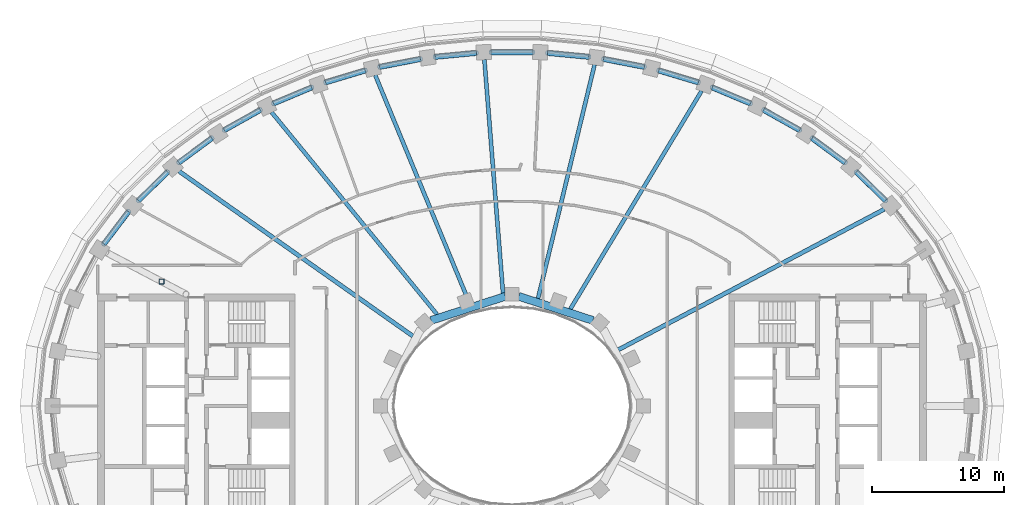
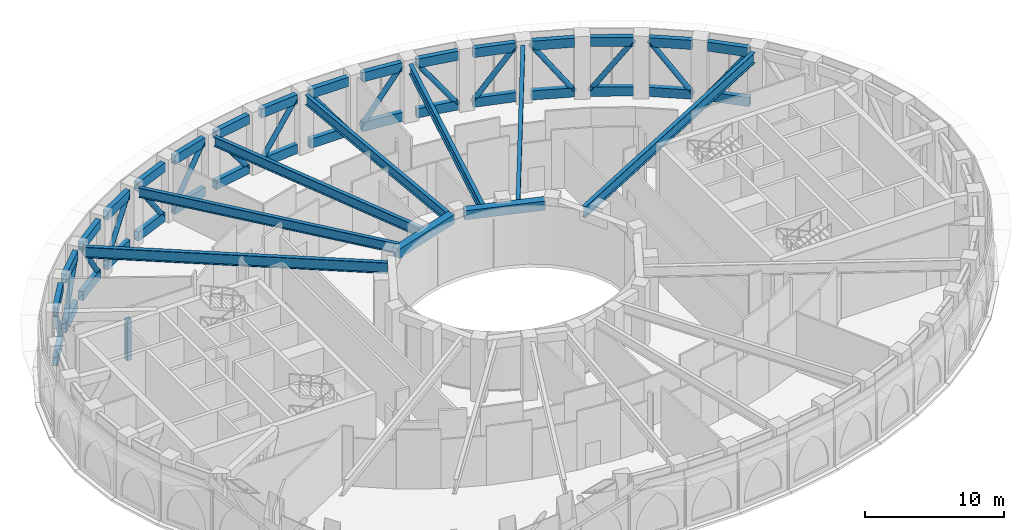
# One storey, part 4 of 25: 41 beams, 17 members.
"""IFC4 building model written with IfcOpenShell, lengths in metres."""

from ifc_helpers import new_model, si_unit, direction, frame, origin, origin_2d, place, context, subcontext, project, spatial, rectangle, hollow_rectangle, hollow_circle, i_section, extrude, material, material_profile, profile_set, type_object, element, save


model = new_model("IFC4")

# Units and contexts
model_context = context("Model", 3, precision=1e-05, world=origin(), true_north=direction((0.0, 1.0)))
body_context = subcontext(model_context, "Body", "Model", "MODEL_VIEW")
ifc_project = project(units=[si_unit("LENGTHUNIT", "METRE"), si_unit("AREAUNIT", "SQUARE_METRE"), si_unit("VOLUMEUNIT", "CUBIC_METRE"), si_unit("PLANEANGLEUNIT", "RADIAN"), si_unit("MASSUNIT", "GRAM", prefix="KILO")], contexts=[model_context])

# Site, building, storey
site_placement = place(None, origin())
site = spatial("IfcSite", under=ifc_project, at=site_placement, CompositionType="ELEMENT")
building_placement = place(site_placement, origin())
building = spatial("IfcBuilding", under=site, at=building_placement, Name="Noorbagh Ring Tower", CompositionType="ELEMENT")
storey_placement = place(building_placement, frame((0.0, 0.0, 198.0)))
storey = spatial("IfcBuildingStorey", under=building, at=storey_placement, Name="L46", CompositionType="ELEMENT", Elevation=198.0)

# Beams
ifc_material_1 = material(Name="Steel S460", Category="steel")
ifc_material_profile_1 = material_profile(ifc_material_1, hollow_rectangle(XDim=0.39990234375, YDim=0.800048828125, WallThickness=0.031982421875, at=origin_2d()), Name="BOX800x400x32")
ifc_profile_set_1 = profile_set([ifc_material_profile_1], Name="Steel S460")
beam_type_1 = type_object("IfcBeamType", Name="STR-BELT-TRUSS-CHORD-BOX800x400x32-S460", PredefinedType="BEAM", material=ifc_profile_set_1)
for number, where, z_axis, x_axis, name in (
    (1, (28.419677734375, 15.618408203125, 0.39990234375), (-0.717243627205, 0.696822487606, 0.0), (-0.696822487606, -0.717243627205, 0.0), "Belt truss chord"),
    (2, (28.419677734375, 15.618408203125, 4.75), (-0.717243627205, 0.696822487606, 0.0), (-0.696822487606, -0.717243627205, 0.0), "Belt truss chord"),
):
    element("IfcBeam", number, at=place(storey_placement, frame(where, z_axis=z_axis, x_axis=x_axis)), inside=storey, type_object=beam_type_1, Name=name, PredefinedType="BEAM", context=body_context, shape_type="SweptSolid", body=[
        extrude(hollow_rectangle(XDim=0.39990234375, YDim=0.800048828125, WallThickness=0.031982421875, at=origin_2d()), origin(), (0.0, 0.0, 1.0), 3.120361328125),
    ])
for number, where, z_axis, x_axis, name in (
    (3, (25.334716796875, 18.51025390625, 0.39990234375), (-0.805145840143, 0.593076871999, 0.0), (-0.593076871999, -0.805145840143, 0.0), "Belt truss chord"),
    (4, (25.334716796875, 18.51025390625, 4.75), (-0.805145840143, 0.593076871999, 0.0), (-0.593076871999, -0.805145840143, 0.0), "Belt truss chord"),
):
    element("IfcBeam", number, at=place(storey_placement, frame(where, z_axis=z_axis, x_axis=x_axis)), inside=storey, type_object=beam_type_1, Name=name, PredefinedType="BEAM", context=body_context, shape_type="SweptSolid", body=[
        extrude(hollow_rectangle(XDim=0.39990234375, YDim=0.800048828125, WallThickness=0.031982421875, at=origin_2d()), origin(), (0.0, 0.0, 1.0), 3.135986328125),
    ])
for number, where, z_axis, x_axis, name in (
    (5, (21.877197265625, 20.97216796875, 0.39990234375), (-0.87203893693, 0.489436505053, 0.0), (-0.489436505053, -0.87203893693, 0.0), "Belt truss chord"),
    (6, (21.877197265625, 20.97216796875, 4.75), (-0.87203893693, 0.489436505053, 0.0), (-0.489436505053, -0.87203893693, 0.0), "Belt truss chord"),
):
    element("IfcBeam", number, at=place(storey_placement, frame(where, z_axis=z_axis, x_axis=x_axis)), inside=storey, type_object=beam_type_1, Name=name, PredefinedType="BEAM", context=body_context, shape_type="SweptSolid", body=[
        extrude(hollow_rectangle(XDim=0.39990234375, YDim=0.800048828125, WallThickness=0.031982421875, at=origin_2d()), origin(), (0.0, 0.0, 1.0), 3.149169921875),
    ])
for number, where, z_axis, x_axis, name in (
    (7, (18.1337890625, 23.0009765625, 0.39990234375), (-0.921825849556, 0.387604312528, 0.0), (-0.387604312528, -0.921825849556, 0.0), "Belt truss chord"),
    (8, (18.1337890625, 23.0009765625, 4.75), (-0.921825849556, 0.387604312528, 0.0), (-0.387604312528, -0.921825849556, 0.0), "Belt truss chord"),
):
    element("IfcBeam", number, at=place(storey_placement, frame(where, z_axis=z_axis, x_axis=x_axis)), inside=storey, type_object=beam_type_1, Name=name, PredefinedType="BEAM", context=body_context, shape_type="SweptSolid", body=[
        extrude(hollow_rectangle(XDim=0.39990234375, YDim=0.800048828125, WallThickness=0.031982421875, at=origin_2d()), origin(), (0.0, 0.0, 1.0), 3.15869140625),
    ])
for number, where, z_axis, x_axis, name in (
    (9, (14.17724609375, 24.60107421875, 0.39990234375), (-0.957586143245, 0.288147146897, 0.0), (-0.288147146897, -0.957586143245, 0.0), "Belt truss chord"),
    (10, (14.17724609375, 24.60107421875, 4.75), (-0.957586143245, 0.288147146897, 0.0), (-0.288147146897, -0.957586143245, 0.0), "Belt truss chord"),
):
    element("IfcBeam", number, at=place(storey_placement, frame(where, z_axis=z_axis, x_axis=x_axis)), inside=storey, type_object=beam_type_1, Name=name, PredefinedType="BEAM", context=body_context, shape_type="SweptSolid", body=[
        extrude(hollow_rectangle(XDim=0.39990234375, YDim=0.800048828125, WallThickness=0.031982421875, at=origin_2d()), origin(), (0.0, 0.0, 1.0), 3.166259765625),
    ])
for number, where, z_axis, x_axis, name in (
    (11, (10.067626953125, 25.77978515625, 0.39990234375), (-0.98163221506, 0.190783108151, 0.0), (-0.190783108151, -0.98163221506, 0.0), "Belt truss chord"),
    (12, (10.067626953125, 25.77978515625, 4.75), (-0.98163221506, 0.190783108151, 0.0), (-0.190783108151, -0.98163221506, 0.0), "Belt truss chord"),
):
    element("IfcBeam", number, at=place(storey_placement, frame(where, z_axis=z_axis, x_axis=x_axis)), inside=storey, type_object=beam_type_1, Name=name, PredefinedType="BEAM", context=body_context, shape_type="SweptSolid", body=[
        extrude(hollow_rectangle(XDim=0.39990234375, YDim=0.800048828125, WallThickness=0.031982421875, at=origin_2d()), origin(), (0.0, 0.0, 1.0), 3.171142578125),
    ])
for number, where, z_axis, x_axis, name in (
    (13, (5.856201171875, 26.543701171875, 0.39990234375), (-0.995478518673, 0.094986940474, 0.0), (-0.094986940474, -0.995478518673, 0.0), "Belt truss chord"),
    (14, (5.856201171875, 26.543701171875, 4.75), (-0.995478518673, 0.094986940474, 0.0), (-0.094986940474, -0.995478518673, 0.0), "Belt truss chord"),
):
    element("IfcBeam", number, at=place(storey_placement, frame(where, z_axis=z_axis, x_axis=x_axis)), inside=storey, type_object=beam_type_1, Name=name, PredefinedType="BEAM", context=body_context, shape_type="SweptSolid", body=[
        extrude(hollow_rectangle(XDim=0.39990234375, YDim=0.800048828125, WallThickness=0.031982421875, at=origin_2d()), origin(), (0.0, 0.0, 1.0), 3.17431640625),
    ])
for number, where, z_axis, x_axis, name in (
    (15, (1.587646484375, 26.89794921875, 0.39990234375), (-1.0, 0.0, 0.0), (0.0, -1.0, 0.0), "Belt truss chord"),
    (16, (1.587646484375, 26.89794921875, 4.75), (-1.0, 0.0, 0.0), (0.0, -1.0, 0.0), "Belt truss chord"),
):
    element("IfcBeam", number, at=place(storey_placement, frame(where, z_axis=z_axis, x_axis=x_axis)), inside=storey, type_object=beam_type_1, Name=name, PredefinedType="BEAM", context=body_context, shape_type="SweptSolid", body=[
        extrude(hollow_rectangle(XDim=0.39990234375, YDim=0.800048828125, WallThickness=0.031982421875, at=origin_2d()), origin(), (0.0, 0.0, 1.0), 3.17529296875),
    ])
for number, where, z_axis, x_axis, name in (
    (17, (-2.6962890625, 26.84521484375, 0.39990234375), (-0.995478518673, -0.094986940474, 0.0), (0.094986940474, -0.995478518673, 0.0), "Belt truss chord"),
    (18, (-2.6962890625, 26.84521484375, 4.75), (-0.995478518673, -0.094986940474, 0.0), (0.094986940474, -0.995478518673, 0.0), "Belt truss chord"),
):
    element("IfcBeam", number, at=place(storey_placement, frame(where, z_axis=z_axis, x_axis=x_axis)), inside=storey, type_object=beam_type_1, Name=name, PredefinedType="BEAM", context=body_context, shape_type="SweptSolid", body=[
        extrude(hollow_rectangle(XDim=0.39990234375, YDim=0.800048828125, WallThickness=0.031982421875, at=origin_2d()), origin(), (0.0, 0.0, 1.0), 3.17431640625),
    ])
for number, where, z_axis, x_axis, name in (
    (19, (-6.954833984375, 26.384765625, 0.39990234375), (-0.98163221506, -0.190783108151, 0.0), (0.190783108151, -0.98163221506, 0.0), "Belt truss chord"),
    (20, (-6.954833984375, 26.384765625, 4.75), (-0.98163221506, -0.190783108151, 0.0), (0.190783108151, -0.98163221506, 0.0), "Belt truss chord"),
):
    element("IfcBeam", number, at=place(storey_placement, frame(where, z_axis=z_axis, x_axis=x_axis)), inside=storey, type_object=beam_type_1, Name=name, PredefinedType="BEAM", context=body_context, shape_type="SweptSolid", body=[
        extrude(hollow_rectangle(XDim=0.39990234375, YDim=0.800048828125, WallThickness=0.031982421875, at=origin_2d()), origin(), (0.0, 0.0, 1.0), 3.171142578125),
    ])
for number, where, z_axis, x_axis, name in (
    (21, (-11.145263671875, 25.513427734375, 0.39990234375), (-0.957586143245, -0.288147146897, 0.0), (0.288147146897, -0.957586143245, 0.0), "Belt truss chord"),
    (22, (-11.145263671875, 25.513427734375, 4.75), (-0.957586143245, -0.288147146897, 0.0), (0.288147146897, -0.957586143245, 0.0), "Belt truss chord"),
):
    element("IfcBeam", number, at=place(storey_placement, frame(where, z_axis=z_axis, x_axis=x_axis)), inside=storey, type_object=beam_type_1, Name=name, PredefinedType="BEAM", context=body_context, shape_type="SweptSolid", body=[
        extrude(hollow_rectangle(XDim=0.39990234375, YDim=0.800048828125, WallThickness=0.031982421875, at=origin_2d()), origin(), (0.0, 0.0, 1.0), 3.166259765625),
    ])
for number, where, z_axis, x_axis, name in (
    (23, (-15.221923828125, 24.225341796875, 0.39990234375), (-0.921825849556, -0.387604312528, 0.0), (0.387604312528, -0.921825849556, 0.0), "Belt truss chord"),
    (24, (-15.221923828125, 24.225341796875, 4.75), (-0.921825849556, -0.387604312528, 0.0), (0.387604312528, -0.921825849556, 0.0), "Belt truss chord"),
):
    element("IfcBeam", number, at=place(storey_placement, frame(where, z_axis=z_axis, x_axis=x_axis)), inside=storey, type_object=beam_type_1, Name=name, PredefinedType="BEAM", context=body_context, shape_type="SweptSolid", body=[
        extrude(hollow_rectangle(XDim=0.39990234375, YDim=0.800048828125, WallThickness=0.031982421875, at=origin_2d()), origin(), (0.0, 0.0, 1.0), 3.15869140625),
    ])
for number, where, z_axis, x_axis, name in (
    (25, (-19.131103515625, 22.513427734375, 0.39990234375), (-0.87203893693, -0.489436505053, 0.0), (0.489436505053, -0.87203893693, 0.0), "Belt truss chord"),
    (26, (-19.131103515625, 22.513427734375, 4.75), (-0.87203893693, -0.489436505053, 0.0), (0.489436505053, -0.87203893693, 0.0), "Belt truss chord"),
):
    element("IfcBeam", number, at=place(storey_placement, frame(where, z_axis=z_axis, x_axis=x_axis)), inside=storey, type_object=beam_type_1, Name=name, PredefinedType="BEAM", context=body_context, shape_type="SweptSolid", body=[
        extrude(hollow_rectangle(XDim=0.39990234375, YDim=0.800048828125, WallThickness=0.031982421875, at=origin_2d()), origin(), (0.0, 0.0, 1.0), 3.149169921875),
    ])
for number, where, z_axis, x_axis, name in (
    (27, (-22.809814453125, 20.3701171875, 0.39990234375), (-0.805145840143, -0.593076871999, 0.0), (0.593076871999, -0.805145840143, 0.0), "Belt truss chord"),
    (28, (-22.809814453125, 20.3701171875, 4.75), (-0.805145840143, -0.593076871999, 0.0), (0.593076871999, -0.805145840143, 0.0), "Belt truss chord"),
):
    element("IfcBeam", number, at=place(storey_placement, frame(where, z_axis=z_axis, x_axis=x_axis)), inside=storey, type_object=beam_type_1, Name=name, PredefinedType="BEAM", context=body_context, shape_type="SweptSolid", body=[
        extrude(hollow_rectangle(XDim=0.39990234375, YDim=0.800048828125, WallThickness=0.031982421875, at=origin_2d()), origin(), (0.0, 0.0, 1.0), 3.135986328125),
    ])
for number, where, z_axis, x_axis, name in (
    (29, (-26.181640625, 17.792724609375, 0.39990234375), (-0.717243627205, -0.696822487606, 0.0), (0.696822487606, -0.717243627205, 0.0), "Belt truss chord"),
    (30, (-26.181640625, 17.792724609375, 4.75), (-0.717243627205, -0.696822487606, 0.0), (0.696822487606, -0.717243627205, 0.0), "Belt truss chord"),
):
    element("IfcBeam", number, at=place(storey_placement, frame(where, z_axis=z_axis, x_axis=x_axis)), inside=storey, type_object=beam_type_1, Name=name, PredefinedType="BEAM", context=body_context, shape_type="SweptSolid", body=[
        extrude(hollow_rectangle(XDim=0.39990234375, YDim=0.800048828125, WallThickness=0.031982421875, at=origin_2d()), origin(), (0.0, 0.0, 1.0), 3.120361328125),
    ])
for number, where, z_axis, x_axis, name in (
    (31, (-29.155029296875, 14.786865234375, 0.39990234375), (-0.604034981443, -0.796957803898, 0.0), (0.796957803898, -0.604034981443, 0.0), "Belt truss chord"),
    (32, (-29.155029296875, 14.786865234375, 4.75), (-0.604034981443, -0.796957803898, 0.0), (0.796957803898, -0.604034981443, 0.0), "Belt truss chord"),
):
    element("IfcBeam", number, at=place(storey_placement, frame(where, z_axis=z_axis, x_axis=x_axis)), inside=storey, type_object=beam_type_1, Name=name, PredefinedType="BEAM", context=body_context, shape_type="SweptSolid", body=[
        extrude(hollow_rectangle(XDim=0.39990234375, YDim=0.800048828125, WallThickness=0.031982421875, at=origin_2d()), origin(), (0.0, 0.0, 1.0), 3.101806640625),
    ])

# Members
ifc_material_2 = material(Name="Steel S355", Category="steel")
ifc_material_profile_2 = material_profile(ifc_material_2, hollow_circle(Radius=0.203125, WallThickness=0.01611328125, at=origin_2d()), Name="CHS406.4x16")
ifc_profile_set_2 = profile_set([ifc_material_profile_2], Name="Steel S355")
member_type_1 = type_object("IfcMemberType", Name="STR-BELT-TRUSS-DIAGONAL-CHS406.4x16", PredefinedType="BRACE", material=ifc_profile_set_2)
member_1_placement = place(storey_placement, frame((26.181640625, 17.792724609375, 0.39990234375), z_axis=(0.418052300959, -0.406149644631, 0.812572913546), x_axis=(0.696822487606, 0.717243627205, 0.0)))
element("IfcMember", 33, at=member_1_placement, inside=storey, type_object=member_type_1, Name="Belt truss diagonal", PredefinedType="BRACE", context=body_context, shape_type="SweptSolid", body=[
    extrude(hollow_circle(Radius=0.203125, WallThickness=0.01611328125, at=origin_2d()), origin(), (0.0, 0.0, 1.0), 5.353515625),
])
member_2_placement = place(storey_placement, frame((25.334716796875, 18.51025390625, 0.39990234375), z_axis=(-0.470834709188, 0.346820616379, 0.811190567425), x_axis=(-0.593076871999, -0.805145840143, 0.0)))
element("IfcMember", 34, at=member_2_placement, inside=storey, type_object=member_type_1, Name="Belt truss diagonal", PredefinedType="BRACE", context=body_context, shape_type="SweptSolid", body=[
    extrude(hollow_circle(Radius=0.203125, WallThickness=0.01611328125, at=origin_2d()), origin(), (0.0, 0.0, 1.0), 5.362548828125),
])
member_3_placement = place(storey_placement, frame((19.131103515625, 22.513427734375, 0.39990234375), z_axis=(0.511350599537, -0.286998251678, 0.810032448663), x_axis=(0.489436505053, 0.87203893693, 0.0)))
element("IfcMember", 35, at=member_3_placement, inside=storey, type_object=member_type_1, Name="Belt truss diagonal", PredefinedType="BRACE", context=body_context, shape_type="SweptSolid", body=[
    extrude(hollow_circle(Radius=0.203125, WallThickness=0.01611328125, at=origin_2d()), origin(), (0.0, 0.0, 1.0), 5.370361328125),
])
member_4_placement = place(storey_placement, frame((18.1337890625, 23.0009765625, 0.39990234375), z_axis=(-0.541641570646, 0.227746497593, 0.809169909094), x_axis=(-0.387604312528, -0.921825849556, 0.0)))
element("IfcMember", 36, at=member_4_placement, inside=storey, type_object=member_type_1, Name="Belt truss diagonal", PredefinedType="BRACE", context=body_context, shape_type="SweptSolid", body=[
    extrude(hollow_circle(Radius=0.203125, WallThickness=0.01611328125, at=origin_2d()), origin(), (0.0, 0.0, 1.0), 5.3759765625),
])
member_5_placement = place(storey_placement, frame((11.145263671875, 25.513427734375, 0.39990234375), z_axis=(0.563524077368, -0.169569971586, 0.808508898506), x_axis=(0.288147146897, 0.957586143245, 0.0)))
element("IfcMember", 37, at=member_5_placement, inside=storey, type_object=member_type_1, Name="Belt truss diagonal", PredefinedType="BRACE", context=body_context, shape_type="SweptSolid", body=[
    extrude(hollow_circle(Radius=0.203125, WallThickness=0.01611328125, at=origin_2d()), origin(), (0.0, 0.0, 1.0), 5.38037109375),
])
member_6_placement = place(storey_placement, frame((10.067626953125, 25.77978515625, 0.39990234375), z_axis=(-0.578242229453, 0.112383078007, 0.80808784662), x_axis=(-0.190783108151, -0.98163221506, 0.0)))
element("IfcMember", 38, at=member_6_placement, inside=storey, type_object=member_type_1, Name="Belt truss diagonal", PredefinedType="BRACE", context=body_context, shape_type="SweptSolid", body=[
    extrude(hollow_circle(Radius=0.203125, WallThickness=0.01611328125, at=origin_2d()), origin(), (0.0, 0.0, 1.0), 5.38330078125),
])
member_7_placement = place(storey_placement, frame((2.6962890625, 26.84521484375, 0.39990234375), z_axis=(0.58678798266, -0.055990354522, 0.807802539985), x_axis=(0.094986940474, 0.995478518673, 0.0)))
element("IfcMember", 39, at=member_7_placement, inside=storey, type_object=member_type_1, Name="Belt truss diagonal", PredefinedType="BRACE", context=body_context, shape_type="SweptSolid", body=[
    extrude(hollow_circle(Radius=0.203125, WallThickness=0.01611328125, at=origin_2d()), origin(), (0.0, 0.0, 1.0), 5.385009765625),
])
member_8_placement = place(storey_placement, frame((1.587646484375, 26.89794921875, 0.39990234375), z_axis=(-0.589577790495, 0.0, 0.807711600111), x_axis=(0.0, -1.0, 0.0)))
element("IfcMember", 40, at=member_8_placement, inside=storey, type_object=member_type_1, Name="Belt truss diagonal", PredefinedType="BRACE", context=body_context, shape_type="SweptSolid", body=[
    extrude(hollow_circle(Radius=0.203125, WallThickness=0.01611328125, at=origin_2d()), origin(), (0.0, 0.0, 1.0), 5.3857421875),
])
member_9_placement = place(storey_placement, frame((-5.856201171875, 26.543701171875, 0.39990234375), z_axis=(0.58678798266, 0.055990354522, 0.807802539985), x_axis=(-0.094986940474, 0.995478518673, 0.0)))
element("IfcMember", 41, at=member_9_placement, inside=storey, type_object=member_type_1, Name="Belt truss diagonal", PredefinedType="BRACE", context=body_context, shape_type="SweptSolid", body=[
    extrude(hollow_circle(Radius=0.203125, WallThickness=0.01611328125, at=origin_2d()), origin(), (0.0, 0.0, 1.0), 5.385009765625),
])
member_10_placement = place(storey_placement, frame((-6.954833984375, 26.384765625, 0.39990234375), z_axis=(-0.578242229453, -0.112383078007, 0.80808784662), x_axis=(0.190783108151, -0.98163221506, 0.0)))
element("IfcMember", 42, at=member_10_placement, inside=storey, type_object=member_type_1, Name="Belt truss diagonal", PredefinedType="BRACE", context=body_context, shape_type="SweptSolid", body=[
    extrude(hollow_circle(Radius=0.203125, WallThickness=0.01611328125, at=origin_2d()), origin(), (0.0, 0.0, 1.0), 5.38330078125),
])
member_11_placement = place(storey_placement, frame((-14.17724609375, 24.60107421875, 0.39990234375), z_axis=(0.563524077368, 0.169569971586, 0.808508898506), x_axis=(-0.288147146897, 0.957586143245, 0.0)))
element("IfcMember", 43, at=member_11_placement, inside=storey, type_object=member_type_1, Name="Belt truss diagonal", PredefinedType="BRACE", context=body_context, shape_type="SweptSolid", body=[
    extrude(hollow_circle(Radius=0.203125, WallThickness=0.01611328125, at=origin_2d()), origin(), (0.0, 0.0, 1.0), 5.38037109375),
])
member_12_placement = place(storey_placement, frame((-15.221923828125, 24.225341796875, 0.39990234375), z_axis=(-0.541641570646, -0.227746497593, 0.809169909094), x_axis=(0.387604312528, -0.921825849556, 0.0)))
element("IfcMember", 44, at=member_12_placement, inside=storey, type_object=member_type_1, Name="Belt truss diagonal", PredefinedType="BRACE", context=body_context, shape_type="SweptSolid", body=[
    extrude(hollow_circle(Radius=0.203125, WallThickness=0.01611328125, at=origin_2d()), origin(), (0.0, 0.0, 1.0), 5.3759765625),
])
member_13_placement = place(storey_placement, frame((-21.877197265625, 20.97216796875, 0.39990234375), z_axis=(0.511350599537, 0.286998251678, 0.810032448663), x_axis=(-0.489436505053, 0.87203893693, 0.0)))
element("IfcMember", 45, at=member_13_placement, inside=storey, type_object=member_type_1, Name="Belt truss diagonal", PredefinedType="BRACE", context=body_context, shape_type="SweptSolid", body=[
    extrude(hollow_circle(Radius=0.203125, WallThickness=0.01611328125, at=origin_2d()), origin(), (0.0, 0.0, 1.0), 5.370361328125),
])
member_14_placement = place(storey_placement, frame((-22.809814453125, 20.3701171875, 0.39990234375), z_axis=(-0.470834709188, -0.346820616379, 0.811190567425), x_axis=(0.593076871999, -0.805145840143, 0.0)))
element("IfcMember", 46, at=member_14_placement, inside=storey, type_object=member_type_1, Name="Belt truss diagonal", PredefinedType="BRACE", context=body_context, shape_type="SweptSolid", body=[
    extrude(hollow_circle(Radius=0.203125, WallThickness=0.01611328125, at=origin_2d()), origin(), (0.0, 0.0, 1.0), 5.362548828125),
])
member_15_placement = place(storey_placement, frame((-28.419677734375, 15.618408203125, 0.39990234375), z_axis=(0.418052300959, 0.406149644631, 0.812572913546), x_axis=(-0.696822487606, 0.717243627205, 0.0)))
element("IfcMember", 47, at=member_15_placement, inside=storey, type_object=member_type_1, Name="Belt truss diagonal", PredefinedType="BRACE", context=body_context, shape_type="SweptSolid", body=[
    extrude(hollow_circle(Radius=0.203125, WallThickness=0.01611328125, at=origin_2d()), origin(), (0.0, 0.0, 1.0), 5.353515625),
])
member_16_placement = place(storey_placement, frame((-29.155029296875, 14.786865234375, 0.39990234375), z_axis=(-0.350675366589, -0.462677624018, 0.81422122516), x_axis=(0.796957803898, -0.604034981443, 0.0)))
element("IfcMember", 48, at=member_16_placement, inside=storey, type_object=member_type_1, Name="Belt truss diagonal", PredefinedType="BRACE", context=body_context, shape_type="SweptSolid", body=[
    extrude(hollow_circle(Radius=0.203125, WallThickness=0.01611328125, at=origin_2d()), origin(), (0.0, 0.0, 1.0), 5.342529296875),
])
ifc_material_3 = material(Name="Steel S355", Category="steel")
ifc_material_profile_3 = material_profile(ifc_material_3, hollow_rectangle(XDim=0.39990234375, YDim=0.39990234375, WallThickness=0.02490234375, InnerFilletRadius=0.02490234375, OuterFilletRadius=0.0625, at=origin_2d()), Name="SHS400x400x25")
ifc_profile_set_3 = profile_set([ifc_material_profile_3], Name="Steel S355")
member_type_2 = type_object("IfcMemberType", Name="STR-OUTRIGGER-TRUSS-POST-SHS400x400x25", PredefinedType="POST", material=ifc_profile_set_3)
member_17_placement = place(storey_placement, frame((-26.63720703125, 9.464111328125, 0.800048828125), z_axis=(0.0, 0.0, 1.0), x_axis=(1.0, 0.0, 0.0)))
element("IfcMember", 49, at=member_17_placement, inside=storey, type_object=member_type_2, Name="Outrigger truss post", PredefinedType="POST", context=body_context, shape_type="SweptSolid", body=[
    extrude(hollow_rectangle(XDim=0.39990234375, YDim=0.39990234375, WallThickness=0.02490234375, InnerFilletRadius=0.02490234375, OuterFilletRadius=0.0625, at=origin_2d()), origin(), (0.0, 0.0, 1.0), 3.550048828125),
])

# Beams
ifc_material_4 = material(Name="Steel S355", Category="steel")
ifc_material_profile_4 = material_profile(ifc_material_4, i_section(OverallWidth=0.300048828125, OverallDepth=0.85009765625, WebThickness=0.013916015625, FlangeThickness=0.028076171875, at=origin_2d()), Name="PG850x300x14x28")
ifc_profile_set_4 = profile_set([ifc_material_profile_4], Name="Steel S355")
beam_type_2 = type_object("IfcBeamType", Name="STR-RAD-PG850x300x14x28", PredefinedType="BEAM", material=ifc_profile_set_4)
beam_1_placement = place(storey_placement, frame((14.41748046875, 23.95556640625, 4.72509765625), z_axis=(-0.515657480155, -0.856794819756, 0.0), x_axis=(0.856794819756, -0.515657480155, 0.0)))
element("IfcBeam", 50, at=beam_1_placement, inside=storey, type_object=beam_type_2, Name="L46/bm/RD09", PredefinedType="BEAM", context=body_context, shape_type="SweptSolid", body=[
    extrude(i_section(OverallWidth=0.300048828125, OverallDepth=0.85009765625, WebThickness=0.013916015625, FlangeThickness=0.028076171875, at=origin_2d()), origin(), (0.0, 0.0, 1.0), 19.36962890625),
])
beam_2_placement = place(storey_placement, frame((6.278076171875, 25.948974609375, 4.72509765625), z_axis=(-0.235157209599, -0.971957348228, 0.0), x_axis=(0.971957348228, -0.235157209599, 0.0)))
element("IfcBeam", 51, at=beam_2_placement, inside=storey, type_object=beam_type_2, Name="L46/bm/RD11", PredefinedType="BEAM", context=body_context, shape_type="SweptSolid", body=[
    extrude(i_section(OverallWidth=0.300048828125, OverallDepth=0.85009765625, WebThickness=0.013916015625, FlangeThickness=0.028076171875, at=origin_2d()), origin(), (0.0, 0.0, 1.0), 18.3056640625),
])
beam_3_placement = place(storey_placement, frame((-2.09912109375, 26.344482421875, 4.72509765625), z_axis=(0.079426755243, -0.996840704702, 0.0), x_axis=(0.996840704702, 0.079426755243, 0.0)))
element("IfcBeam", 52, at=beam_3_placement, inside=storey, type_object=beam_type_2, Name="L46/bm/RD13", PredefinedType="BEAM", context=body_context, shape_type="SweptSolid", body=[
    extrude(i_section(OverallWidth=0.300048828125, OverallDepth=0.85009765625, WebThickness=0.013916015625, FlangeThickness=0.028076171875, at=origin_2d()), origin(), (0.0, 0.0, 1.0), 17.824951171875),
])
beam_4_placement = place(storey_placement, frame((-10.398681640625, 25.15478515625, 4.72509765625), z_axis=(0.382029145197, -0.924150275778, 0.0), x_axis=(0.924150275778, 0.382029145197, 0.0)))
element("IfcBeam", 53, at=beam_4_placement, inside=storey, type_object=beam_type_2, Name="L46/bm/RD15", PredefinedType="BEAM", context=body_context, shape_type="SweptSolid", body=[
    extrude(i_section(OverallWidth=0.300048828125, OverallDepth=0.85009765625, WebThickness=0.013916015625, FlangeThickness=0.028076171875, at=origin_2d()), origin(), (0.0, 0.0, 1.0), 18.826171875),
])
beam_5_placement = place(storey_placement, frame((-18.284912109375, 22.34375, 4.72509765625), z_axis=(0.633309312675, -0.773898775344, 0.0), x_axis=(0.773898775344, 0.633309312675, 0.0)))
element("IfcBeam", 54, at=beam_5_placement, inside=storey, type_object=beam_type_2, Name="L46/bm/RD17", PredefinedType="BEAM", context=body_context, shape_type="SweptSolid", body=[
    extrude(i_section(OverallWidth=0.300048828125, OverallDepth=0.85009765625, WebThickness=0.013916015625, FlangeThickness=0.028076171875, at=origin_2d()), origin(), (0.0, 0.0, 1.0), 19.888671875),
])
ifc_material_5 = material(Name="Steel S355", Category="steel")
ifc_material_profile_5 = material_profile(ifc_material_5, i_section(OverallWidth=0.320068359375, OverallDepth=0.949951171875, WebThickness=0.01611328125, FlangeThickness=0.030029296875, at=origin_2d()), Name="PG950x320x16x30")
ifc_profile_set_5 = profile_set([ifc_material_profile_5], Name="Steel S355")
beam_type_3 = type_object("IfcBeamType", Name="STR-RAD-PG950x320x16x30", PredefinedType="BEAM", material=ifc_profile_set_5)
beam_6_placement = place(storey_placement, frame((28.3134765625, 14.96337890625, 4.675048828125), z_axis=(-0.88412220417, -0.467255741638, 0.0), x_axis=(0.467255741638, -0.88412220417, 0.0)))
element("IfcBeam", 55, at=beam_6_placement, inside=storey, type_object=beam_type_3, Name="L46/bm/RD05", PredefinedType="BEAM", context=body_context, shape_type="SweptSolid", body=[
    extrude(i_section(OverallWidth=0.320068359375, OverallDepth=0.949951171875, WebThickness=0.01611328125, FlangeThickness=0.030029296875, at=origin_2d()), origin(), (0.0, 0.0, 1.0), 22.88330078125),
])
beam_7_placement = place(storey_placement, frame((-25.313720703125, 17.849609375, 4.675048828125), z_axis=(0.81725576223, -0.576275124487, 0.0), x_axis=(0.576275124487, 0.81725576223, 0.0)))
element("IfcBeam", 56, at=beam_7_placement, inside=storey, type_object=beam_type_3, Name="L46/bm/RD19", PredefinedType="BEAM", context=body_context, shape_type="SweptSolid", body=[
    extrude(i_section(OverallWidth=0.320068359375, OverallDepth=0.949951171875, WebThickness=0.01611328125, FlangeThickness=0.030029296875, at=origin_2d()), origin(), (0.0, 0.0, 1.0), 21.754638671875),
])
ifc_material_6 = material(Name="Concrete C40/50", Category="concrete")
ifc_material_profile_6 = material_profile(ifc_material_6, rectangle(XDim=0.60009765625, YDim=0.800048828125, at=origin_2d()), Name="RC600x800")
ifc_profile_set_6 = profile_set([ifc_material_profile_6], Name="Concrete C40/50")
beam_type_4 = type_object("IfcBeamType", Name="STR-RB-RC600x800-C40-50", PredefinedType="BEAM", material=ifc_profile_set_6)
for number, where, z_axis, x_axis, name in (
    (57, (6.157470703125, 6.504150390625, 4.75), (-0.951147838406, 0.308735792379, 0.0), (-0.308735792379, -0.951147838406, 0.0), "L46/bm/RG03"),
    (58, (-0.505859375, 8.338623046875, 4.75), (-0.951147838406, -0.308735792379, 0.0), (0.308735792379, -0.951147838406, 0.0), "L46/bm/RG05"),
):
    element("IfcBeam", number, at=place(storey_placement, frame(where, z_axis=z_axis, x_axis=x_axis)), inside=storey, type_object=beam_type_4, Name=name, PredefinedType="BEAM", context=body_context, shape_type="SweptSolid", body=[
        extrude(rectangle(XDim=0.60009765625, YDim=0.800048828125, at=origin_2d()), origin(), (0.0, 0.0, 1.0), 5.94189453125),
    ])

save(model, "model.ifc")
